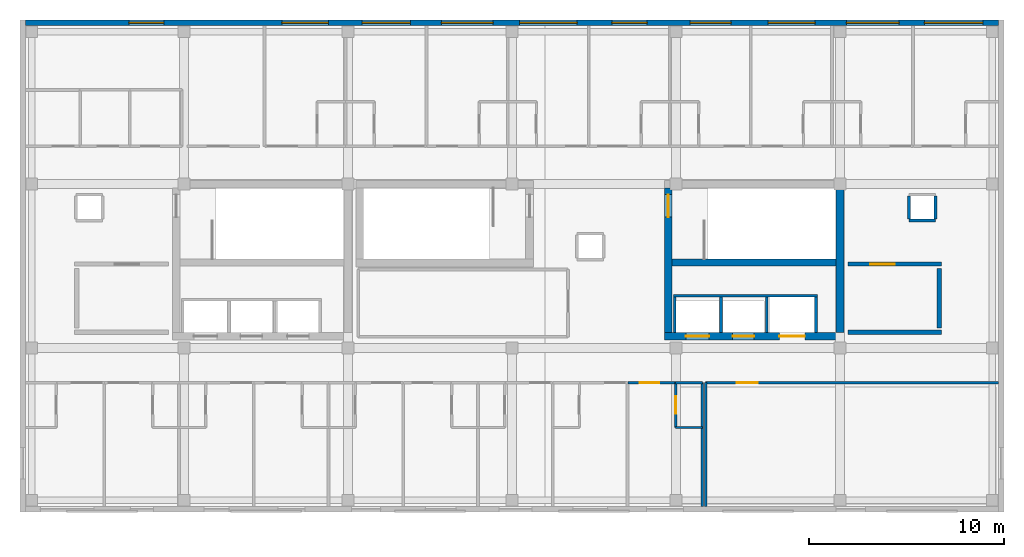
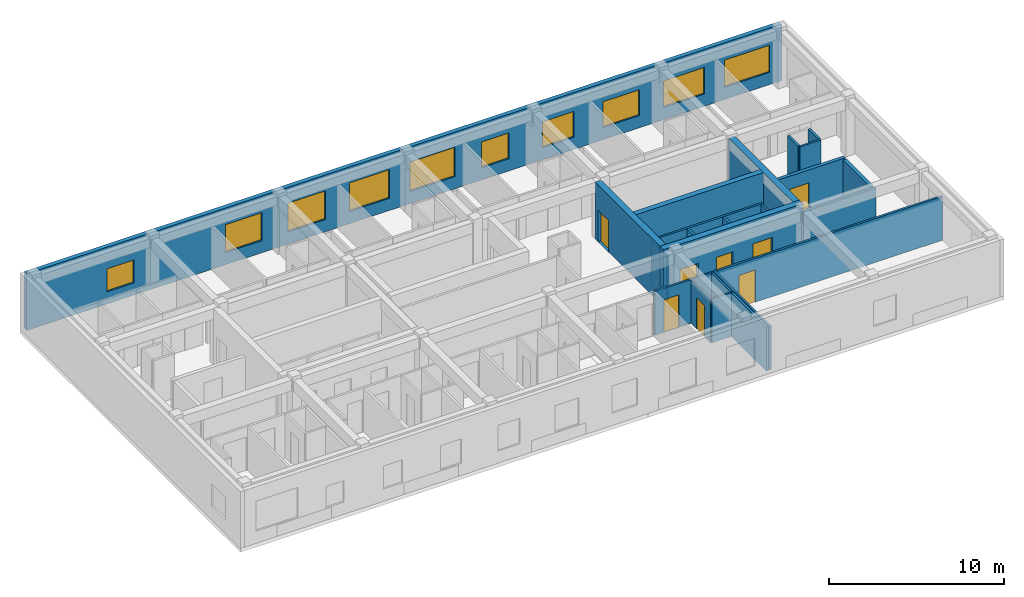
# One storey, part 5 of 7: 23 walls, 10 windows, 8 doors, 18 openings.
"""IFC4 building model written with IfcOpenShell, lengths in metres."""

import ifcopenshell
import ifcopenshell.guid

model = None  # the IFC model being written
_history = None  # IfcOwnerHistory: only IFC2X3 demands one
_inside = {}  # id of a spatial element -> (the spatial element, [elements in it])
_under = {}  # id of a project, library or spatial element -> (it, [spatial elements below it])
_declared = {}  # id of a project -> (the project, [libraries it declares])
_typed = {}  # id of a type object -> (the type object, [elements of that type])
_made_of = {}  # id of a material, layer set ... -> (it, [elements and type objects made of it])


def new_model(schema):
    """Start an empty IFC model of exactly this schema.

    Asked for "IFC4X3", IfcOpenShell would pick the latest addendum, in which some entities
    have other attributes; the version numbers below select the first issue.
    IFC2X3 requires an IfcOwnerHistory on every rooted entity: one is made here for all.
    """
    global model, _history
    if schema == "IFC4X3":
        model = ifcopenshell.file(schema_version=(4, 3, 0, 0))
    else:
        model = ifcopenshell.file(schema=schema)
    _inside.clear()
    _under.clear()
    _declared.clear()
    _typed.clear()
    _made_of.clear()
    _history = None
    if model.schema == "IFC2X3":
        org = make("IfcOrganization", Name="unknown")
        user = make(
            "IfcPersonAndOrganization",
            ThePerson=make("IfcPerson", FamilyName="unknown"),
            TheOrganization=org,
        )
        app = make(
            "IfcApplication",
            ApplicationDeveloper=org,
            Version="unknown",
            ApplicationFullName="unknown",
            ApplicationIdentifier="unknown",
        )
        _history = make(
            "IfcOwnerHistory",
            OwningUser=user,
            OwningApplication=app,
            ChangeAction="ADDED",
            CreationDate=0,
        )
    return model


def make(cls, **values):
    """One entity of the class cls with the attributes given. An attribute that is None is left unset."""
    return model.create_entity(
        cls, **{name: value for name, value in values.items() if value is not None}
    )


def rooted(cls, **values):
    """An entity with a GlobalId (a new one), such as an element, a storey or a relation."""
    return make(cls, GlobalId=ifcopenshell.guid.new(), OwnerHistory=_history, **values)


def si_unit(unit_type, name, prefix=None):
    """IfcSIUnit, for example si_unit("LENGTHUNIT", "METRE", prefix="MILLI")."""
    return make("IfcSIUnit", UnitType=unit_type, Prefix=prefix, Name=name)


def assignment(units):
    """IfcUnitAssignment: the units of a project."""
    return None if units is None else make("IfcUnitAssignment", Units=units)


def point(xyz):
    """IfcCartesianPoint."""
    return None if xyz is None else make("IfcCartesianPoint", Coordinates=xyz)


def direction(xyz):
    """IfcDirection."""
    return None if xyz is None else make("IfcDirection", DirectionRatios=xyz)


def frame(location, z_axis=None, x_axis=None):
    """IfcAxis2Placement3D, a coordinate frame: its origin and axes. An axis left out is left unset."""
    return make(
        "IfcAxis2Placement3D",
        Location=point(location),
        Axis=direction(z_axis),
        RefDirection=direction(x_axis),
    )


def frame_2d(location, x_axis=None):
    """IfcAxis2Placement2D, a coordinate frame in the plane: its origin and x axis."""
    return make(
        "IfcAxis2Placement2D", Location=point(location), RefDirection=direction(x_axis)
    )


def origin():
    """The frame at (0, 0, 0) with its axes left unset."""
    return frame((0.0, 0.0, 0.0))


def place(relative_to, where):
    """IfcLocalPlacement: puts the frame where relative to a parent placement (None: the world)."""
    return make(
        "IfcLocalPlacement", PlacementRelTo=relative_to, RelativePlacement=where
    )


def context(
    kind, dimensions, precision=None, world=None, true_north=None, identifier=None
):
    """IfcGeometricRepresentationContext, for example the 3D "Model" context."""
    return make(
        "IfcGeometricRepresentationContext",
        ContextIdentifier=identifier,
        ContextType=kind,
        CoordinateSpaceDimension=dimensions,
        Precision=precision,
        WorldCoordinateSystem=world,
        TrueNorth=true_north,
    )


def subcontext(parent, identifier, kind, view, scale=None):
    """IfcGeometricRepresentationSubContext, for example "Body" below "Model"."""
    return make(
        "IfcGeometricRepresentationSubContext",
        ContextIdentifier=identifier,
        ContextType=kind,
        ParentContext=parent,
        TargetScale=scale,
        TargetView=view,
    )


def project(units=None, contexts=None):
    """IfcProject with its units and contexts."""
    return rooted(
        "IfcProject",
        Name="project",
        RepresentationContexts=contexts,
        UnitsInContext=assignment(units),
    )


def spatial(cls, under=None, at=None, **own):
    """A site, building, storey or space (cls), placed at a placement, below another one or the project."""
    s = rooted(cls, ObjectPlacement=at, **own)
    if under is not None:
        _under.setdefault(under.id(), (under, []))[1].append(s)
    return s


def profile(cls, at=None, kind="AREA", **sizes):
    """A parametric profile (cls). Its sizes go by their IFC names, for example OverallWidth=200.0."""
    return make(cls, ProfileType=kind, Position=at, **sizes)


def rectangle(**sizes):
    """IfcRectangleProfileDef."""
    return profile("IfcRectangleProfileDef", **sizes)


def extrude(swept, where, along, depth):
    """IfcExtrudedAreaSolid: the profile swept, set in the frame where, extruded along a direction by depth."""
    return make(
        "IfcExtrudedAreaSolid",
        SweptArea=swept,
        Position=where,
        ExtrudedDirection=direction(along),
        Depth=depth,
    )


def shape(context_of_items, identifier, shape_type, items):
    """IfcShapeRepresentation: the items that make up one representation, for example the "Body"."""
    return make(
        "IfcShapeRepresentation",
        ContextOfItems=context_of_items,
        RepresentationIdentifier=identifier,
        RepresentationType=shape_type,
        Items=items,
    )


def material(Name=None, Category=None):
    """IfcMaterial."""
    return make("IfcMaterial", Name=Name, Category=Category)


def layer(
    of_material, thickness, ventilated=None, Name=None, Category=None, Priority=None
):
    """IfcMaterialLayer: one layer of a wall or slab, of a material (None: an air gap)."""
    return make(
        "IfcMaterialLayer",
        Material=of_material,
        LayerThickness=thickness,
        IsVentilated=ventilated,
        Name=Name,
        Category=Category,
        Priority=Priority,
    )


def layer_set(layers, Name=None):
    """IfcMaterialLayerSet."""
    return make("IfcMaterialLayerSet", MaterialLayers=layers, LayerSetName=Name)


def made_of(thing, what):
    """Note that an element or type object is made of a material, layer set ...; save() writes the relation."""
    if what is not None:
        _made_of.setdefault(what.id(), (what, []))[1].append(thing)
    return thing


def type_object(cls, material=None, **own):
    """A type object (cls), such as IfcWallType, which elements share."""
    return made_of(rooted(cls, **own), material)


def element(
    cls,
    number,
    at=None,
    inside=None,
    cuts=None,
    type_object=None,
    material=None,
    context=None,
    identifier="Body",
    shape_type=None,
    held_by="IfcProductDefinitionShape",
    body=None,
    shapes=None,
    **own,
):
    """One element of the class cls, such as IfcWall. Its Tag is "e" and its number.

    at: its placement. inside: the storey or other place that contains it. cuts: it is an
    opening in that element (IfcRelVoidsElement). A single representation is given by context,
    identifier, shape_type and body (its items); several are given by shapes. held_by: the class
    of the entity that holds the representations. save() writes the other relations.
    """
    e = rooted(cls, Tag="e%d" % number, ObjectPlacement=at, **own)
    if body is not None:
        shapes = [shape(context, identifier, shape_type, body)]
    if shapes is not None:
        e.Representation = make(held_by, Representations=shapes)
    if inside is not None:
        _inside.setdefault(inside.id(), (inside, []))[1].append(e)
    if cuts is not None:
        rooted(
            "IfcRelVoidsElement", RelatingBuildingElement=cuts, RelatedOpeningElement=e
        )
    if type_object is not None:
        _typed.setdefault(type_object.id(), (type_object, []))[1].append(e)
    return made_of(e, material)


def fill(opening, filler):
    """IfcRelFillsElement: the door or window that sits in an opening."""
    return rooted(
        "IfcRelFillsElement",
        RelatingOpeningElement=opening,
        RelatedBuildingElement=filler,
    )


def aggregate(whole, parts):
    """IfcRelAggregates: a whole, such as a stair, and the parts it consists of."""
    return rooted("IfcRelAggregates", RelatingObject=whole, RelatedObjects=parts)


def save(model, path):
    """Write the relations noted so far, then the file.

    IfcRelAggregates (storeys below a building ...), IfcRelContainedInSpatialStructure (elements
    in a storey), IfcRelDefinesByType, IfcRelAssociatesMaterial and IfcRelDeclares: one each for
    every whole, place, type object, material and project.
    """
    for whole, parts in _under.values():
        aggregate(whole, parts)
    for where, things in _inside.values():
        rooted(
            "IfcRelContainedInSpatialStructure",
            RelatedElements=things,
            RelatingStructure=where,
        )
    for kind, things in _typed.values():
        rooted("IfcRelDefinesByType", RelatedObjects=things, RelatingType=kind)
    for what, things in _made_of.values():
        rooted("IfcRelAssociatesMaterial", RelatedObjects=things, RelatingMaterial=what)
    for by, libraries in _declared.values():
        rooted("IfcRelDeclares", RelatingContext=by, RelatedDefinitions=libraries)
    model.write(path)


model = new_model("IFC4")

# Units and contexts
model_context = context("Model", 3, precision=1e-05, world=origin(), true_north=direction((0.0, 1.0)))
body_context = subcontext(model_context, "Body", "Model", "MODEL_VIEW")
ifc_project = project(units=[si_unit("LENGTHUNIT", "METRE"), si_unit("AREAUNIT", "SQUARE_METRE"), si_unit("VOLUMEUNIT", "CUBIC_METRE"), si_unit("PLANEANGLEUNIT", "RADIAN"), si_unit("MASSUNIT", "GRAM", prefix="KILO")], contexts=[model_context])

# Site, building, storey
site_placement = place(None, origin())
site = spatial("IfcSite", under=ifc_project, at=site_placement, CompositionType="ELEMENT")
building_placement = place(site_placement, origin())
building = spatial("IfcBuilding", under=site, at=building_placement, Name="Zayran Congress Hotel", CompositionType="ELEMENT")
storey_placement = place(building_placement, frame((0.0, 0.0, 44.39990234375)))
storey = spatial("IfcBuildingStorey", under=building, at=storey_placement, Name="L11", CompositionType="ELEMENT", Elevation=44.39990234375)

# Wall, openings, windows
ifc_material_1 = material(Name="Hajar Ma'ani limestone cavity wall and concrete C32/40", Category="masonry")
ifc_layer_1 = layer(ifc_material_1, 0.280029296875)
ifc_layer_set_1 = layer_set([ifc_layer_1], Name="Hajar Ma'ani limestone cavity wall and concrete C32/40")
wall_type_1 = type_object("IfcWallType", Name="WL-EX-280", PredefinedType="SOLIDWALL", material=ifc_layer_set_1)
wall_1_placement = place(storey_placement, frame((17.080078125, 33.860107421875, 0.0), z_axis=(0.0, 0.0, 1.0), x_axis=(1.0, 0.0, 0.0)))
wall_1 = element("IfcWall", 1, at=wall_1_placement, inside=storey, type_object=wall_type_1, Name="EW-V5-N-L11", PredefinedType="SOLIDWALL", context=body_context, shape_type="SweptSolid", body=[
    extrude(rectangle(XDim=49.83984375, YDim=0.280029296875, at=frame_2d((24.919921875, 0.0))), origin(), (0.0, 0.0, 1.0), 3.960205078125),
])
opening_1_placement = place(wall_1_placement, frame((5.294921875, 0.0, 0.85009765625)))
opening_1 = element("IfcOpeningElement", 2, at=opening_1_placement, cuts=wall_1, Name="Opening WN-16", PredefinedType="OPENING", context=body_context, shape_type="SweptSolid", body=[
    extrude(rectangle(XDim=1.800048828125, YDim=1.60009765625, at=frame_2d((0.89990234375, 0.800048828125))), frame((0.0, 0.14990234375, 0.0), z_axis=(0.0, -1.0, 0.0), x_axis=(1.0, 0.0, 0.0)), (0.0, 0.0, 1.0), 0.300048828125),
])
opening_2_placement = place(wall_1_placement, frame((13.135986328125, 0.0, 0.85009765625)))
opening_2 = element("IfcOpeningElement", 3, at=opening_2_placement, cuts=wall_1, Name="Opening WN-41", PredefinedType="OPENING", context=body_context, shape_type="SweptSolid", body=[
    extrude(rectangle(XDim=2.3798828125, YDim=1.949951171875, at=frame_2d((1.18994140625, 0.97509765625))), frame((0.0, 0.14990234375, 0.0), z_axis=(0.0, -1.0, 0.0), x_axis=(1.0, 0.0, 0.0)), (0.0, 0.0, 1.0), 0.300048828125),
])
opening_3_placement = place(wall_1_placement, frame((17.238037109375, 0.0, 0.85009765625)))
opening_3 = element("IfcOpeningElement", 4, at=opening_3_placement, cuts=wall_1, Name="Opening WN-42", PredefinedType="OPENING", context=body_context, shape_type="SweptSolid", body=[
    extrude(rectangle(XDim=2.47998046875, YDim=2.0, at=frame_2d((1.239990234375, 1.0))), frame((0.0, 0.14990234375, 0.0), z_axis=(0.0, -1.0, 0.0), x_axis=(1.0, 0.0, 0.0)), (0.0, 0.0, 1.0), 0.300048828125),
])
opening_4_placement = place(wall_1_placement, frame((21.304931640625, 0.0, 0.85009765625)))
opening_4 = element("IfcOpeningElement", 5, at=opening_4_placement, cuts=wall_1, Name="Opening WN-43", PredefinedType="OPENING", context=body_context, shape_type="SweptSolid", body=[
    extrude(rectangle(XDim=2.64990234375, YDim=2.0, at=frame_2d((1.324951171875, 1.0))), frame((0.0, 0.14990234375, 0.0), z_axis=(0.0, -1.0, 0.0), x_axis=(1.0, 0.0, 0.0)), (0.0, 0.0, 1.0), 0.300048828125),
])
opening_5_placement = place(wall_1_placement, frame((25.30810546875, 0.0, 0.85009765625)))
opening_5 = element("IfcOpeningElement", 6, at=opening_5_placement, cuts=wall_1, Name="Opening WN-44", PredefinedType="OPENING", context=body_context, shape_type="SweptSolid", body=[
    extrude(rectangle(XDim=2.949951171875, YDim=2.050048828125, at=frame_2d((1.47509765625, 1.02490234375))), frame((0.0, 0.14990234375, 0.0), z_axis=(0.0, -1.0, 0.0), x_axis=(1.0, 0.0, 0.0)), (0.0, 0.0, 1.0), 0.300048828125),
])
opening_6_placement = place(wall_1_placement, frame((30.034912109375, 0.0, 0.85009765625)))
opening_6 = element("IfcOpeningElement", 7, at=opening_6_placement, cuts=wall_1, Name="Opening WN-01", PredefinedType="OPENING", context=body_context, shape_type="SweptSolid", body=[
    extrude(rectangle(XDim=1.800048828125, YDim=1.800048828125, at=frame_2d((0.89990234375, 0.89990234375))), frame((0.0, 0.14990234375, 0.0), z_axis=(0.0, -1.0, 0.0), x_axis=(1.0, 0.0, 0.0)), (0.0, 0.0, 1.0), 0.300048828125),
])
opening_7_placement = place(wall_1_placement, frame((34.037109375, 0.0, 0.85009765625)))
opening_7 = element("IfcOpeningElement", 8, at=opening_7_placement, cuts=wall_1, Name="Opening WN-02", PredefinedType="OPENING", context=body_context, shape_type="SweptSolid", body=[
    extrude(rectangle(XDim=2.10009765625, YDim=1.800048828125, at=frame_2d((1.050048828125, 0.89990234375))), frame((0.0, 0.14990234375, 0.0), z_axis=(0.0, -1.0, 0.0), x_axis=(1.0, 0.0, 0.0)), (0.0, 0.0, 1.0), 0.300048828125),
])
opening_8_placement = place(wall_1_placement, frame((38.0400390625, 0.0, 0.85009765625)))
opening_8 = element("IfcOpeningElement", 9, at=opening_8_placement, cuts=wall_1, Name="Opening WN-03", PredefinedType="OPENING", context=body_context, shape_type="SweptSolid", body=[
    extrude(rectangle(XDim=2.39990234375, YDim=1.800048828125, at=frame_2d((1.199951171875, 0.89990234375))), frame((0.0, 0.14990234375, 0.0), z_axis=(0.0, -1.0, 0.0), x_axis=(1.0, 0.0, 0.0)), (0.0, 0.0, 1.0), 0.300048828125),
])
opening_9_placement = place(wall_1_placement, frame((42.0419921875, 0.0, 0.85009765625)))
opening_9 = element("IfcOpeningElement", 10, at=opening_9_placement, cuts=wall_1, Name="Opening WN-04", PredefinedType="OPENING", context=body_context, shape_type="SweptSolid", body=[
    extrude(rectangle(XDim=2.699951171875, YDim=1.85009765625, at=frame_2d((1.35009765625, 0.925048828125))), frame((0.0, 0.14990234375, 0.0), z_axis=(0.0, -1.0, 0.0), x_axis=(1.0, 0.0, 0.0)), (0.0, 0.0, 1.0), 0.300048828125),
])
opening_10_placement = place(wall_1_placement, frame((46.0439453125, 0.0, 0.85009765625)))
opening_10 = element("IfcOpeningElement", 11, at=opening_10_placement, cuts=wall_1, Name="Opening WN-05", PredefinedType="OPENING", context=body_context, shape_type="SweptSolid", body=[
    extrude(rectangle(XDim=3.0, YDim=1.89990234375, at=frame_2d((1.5, 0.949951171875))), frame((0.0, 0.14990234375, 0.0), z_axis=(0.0, -1.0, 0.0), x_axis=(1.0, 0.0, 0.0)), (0.0, 0.0, 1.0), 0.300048828125),
])
ifc_material_2 = material(Name="Anodised aluminium and low-E insulated glass", Category="aluminium")
window_type_1 = type_object("IfcWindowType", Name="TP-WN-01", PartitioningType="SINGLE_PANEL", PredefinedType="WINDOW", material=ifc_material_2)
window_1_placement = place(opening_6_placement, origin())
window_1 = element("IfcWindow", 12, at=window_1_placement, inside=storey, type_object=window_type_1, Name="WIN-V5N-L11-0480", OverallHeight=1.800048828125, OverallWidth=1.800048828125, PartitioningType="SINGLE_PANEL", PredefinedType="WINDOW", context=body_context, shape_type="SweptSolid", body=[
    extrude(rectangle(XDim=1.800048828125, YDim=1.800048828125, at=frame_2d((0.89990234375, 0.89990234375))), frame((0.0, 0.030029296875, 0.0), z_axis=(0.0, -1.0, 0.0), x_axis=(1.0, 0.0, 0.0)), (0.0, 0.0, 1.0), 0.06005859375),
])
fill(opening_6, window_1)
window_type_2 = type_object("IfcWindowType", Name="TP-WN-02", PartitioningType="DOUBLE_PANEL_VERTICAL", PredefinedType="WINDOW", material=ifc_material_2)
window_2_placement = place(opening_7_placement, origin())
window_2 = element("IfcWindow", 13, at=window_2_placement, inside=storey, type_object=window_type_2, Name="WIN-V5N-L11-0481", OverallHeight=1.800048828125, OverallWidth=2.10009765625, PartitioningType="SINGLE_PANEL", PredefinedType="WINDOW", context=body_context, shape_type="SweptSolid", body=[
    extrude(rectangle(XDim=2.10009765625, YDim=1.800048828125, at=frame_2d((1.050048828125, 0.89990234375))), frame((0.0, 0.030029296875, 0.0), z_axis=(0.0, -1.0, 0.0), x_axis=(1.0, 0.0, 0.0)), (0.0, 0.0, 1.0), 0.06005859375),
])
fill(opening_7, window_2)
window_type_3 = type_object("IfcWindowType", Name="TP-WN-03", PartitioningType="DOUBLE_PANEL_VERTICAL", PredefinedType="WINDOW", material=ifc_material_2)
window_3_placement = place(opening_8_placement, origin())
window_3 = element("IfcWindow", 14, at=window_3_placement, inside=storey, type_object=window_type_3, Name="WIN-V5N-L11-0482", OverallHeight=1.800048828125, OverallWidth=2.39990234375, PartitioningType="SINGLE_PANEL", PredefinedType="WINDOW", context=body_context, shape_type="SweptSolid", body=[
    extrude(rectangle(XDim=2.39990234375, YDim=1.800048828125, at=frame_2d((1.199951171875, 0.89990234375))), frame((0.0, 0.030029296875, 0.0), z_axis=(0.0, -1.0, 0.0), x_axis=(1.0, 0.0, 0.0)), (0.0, 0.0, 1.0), 0.06005859375),
])
fill(opening_8, window_3)
window_type_4 = type_object("IfcWindowType", Name="TP-WN-04", PartitioningType="TRIPLE_PANEL_VERTICAL", PredefinedType="WINDOW", material=ifc_material_2)
window_4_placement = place(opening_9_placement, origin())
window_4 = element("IfcWindow", 15, at=window_4_placement, inside=storey, type_object=window_type_4, Name="WIN-V5N-L11-0483", OverallHeight=1.85009765625, OverallWidth=2.699951171875, PartitioningType="SINGLE_PANEL", PredefinedType="WINDOW", context=body_context, shape_type="SweptSolid", body=[
    extrude(rectangle(XDim=2.699951171875, YDim=1.85009765625, at=frame_2d((1.35009765625, 0.925048828125))), frame((0.0, 0.030029296875, 0.0), z_axis=(0.0, -1.0, 0.0), x_axis=(1.0, 0.0, 0.0)), (0.0, 0.0, 1.0), 0.06005859375),
])
fill(opening_9, window_4)
window_type_5 = type_object("IfcWindowType", Name="TP-WN-05", PartitioningType="TRIPLE_PANEL_VERTICAL", PredefinedType="WINDOW", material=ifc_material_2)
window_5_placement = place(opening_10_placement, origin())
window_5 = element("IfcWindow", 16, at=window_5_placement, inside=storey, type_object=window_type_5, Name="WIN-V5N-L11-0484", OverallHeight=1.89990234375, OverallWidth=3.0, PartitioningType="SINGLE_PANEL", PredefinedType="WINDOW", context=body_context, shape_type="SweptSolid", body=[
    extrude(rectangle(XDim=3.0, YDim=1.89990234375, at=frame_2d((1.5, 0.949951171875))), frame((0.0, 0.030029296875, 0.0), z_axis=(0.0, -1.0, 0.0), x_axis=(1.0, 0.0, 0.0)), (0.0, 0.0, 1.0), 0.06005859375),
])
fill(opening_10, window_5)
window_type_6 = type_object("IfcWindowType", Name="TP-WN-16", PartitioningType="DOUBLE_PANEL_VERTICAL", PredefinedType="WINDOW", material=ifc_material_2)
window_6_placement = place(opening_1_placement, origin())
window_6 = element("IfcWindow", 17, at=window_6_placement, inside=storey, type_object=window_type_6, Name="WIN-V5N-L11-0475", OverallHeight=1.60009765625, OverallWidth=1.800048828125, PartitioningType="SINGLE_PANEL", PredefinedType="WINDOW", context=body_context, shape_type="SweptSolid", body=[
    extrude(rectangle(XDim=1.800048828125, YDim=1.60009765625, at=frame_2d((0.89990234375, 0.800048828125))), frame((0.0, 0.030029296875, 0.0), z_axis=(0.0, -1.0, 0.0), x_axis=(1.0, 0.0, 0.0)), (0.0, 0.0, 1.0), 0.06005859375),
])
fill(opening_1, window_6)
window_type_7 = type_object("IfcWindowType", Name="TP-WN-41", PartitioningType="DOUBLE_PANEL_VERTICAL", PredefinedType="WINDOW", material=ifc_material_2)
window_7_placement = place(opening_2_placement, origin())
window_7 = element("IfcWindow", 18, at=window_7_placement, inside=storey, type_object=window_type_7, Name="WIN-V5N-L11-0476", OverallHeight=1.949951171875, OverallWidth=2.3798828125, PartitioningType="SINGLE_PANEL", PredefinedType="WINDOW", context=body_context, shape_type="SweptSolid", body=[
    extrude(rectangle(XDim=2.3798828125, YDim=1.949951171875, at=frame_2d((1.18994140625, 0.97509765625))), frame((0.0, 0.030029296875, 0.0), z_axis=(0.0, -1.0, 0.0), x_axis=(1.0, 0.0, 0.0)), (0.0, 0.0, 1.0), 0.06005859375),
])
fill(opening_2, window_7)
window_type_8 = type_object("IfcWindowType", Name="TP-WN-42", PartitioningType="DOUBLE_PANEL_VERTICAL", PredefinedType="WINDOW", material=ifc_material_2)
window_8_placement = place(opening_3_placement, origin())
window_8 = element("IfcWindow", 19, at=window_8_placement, inside=storey, type_object=window_type_8, Name="WIN-V5N-L11-0477", OverallHeight=2.0, OverallWidth=2.47998046875, PartitioningType="SINGLE_PANEL", PredefinedType="WINDOW", context=body_context, shape_type="SweptSolid", body=[
    extrude(rectangle(XDim=2.47998046875, YDim=2.0, at=frame_2d((1.239990234375, 1.0))), frame((0.0, 0.030029296875, 0.0), z_axis=(0.0, -1.0, 0.0), x_axis=(1.0, 0.0, 0.0)), (0.0, 0.0, 1.0), 0.06005859375),
])
fill(opening_3, window_8)
window_type_9 = type_object("IfcWindowType", Name="TP-WN-43", PartitioningType="TRIPLE_PANEL_VERTICAL", PredefinedType="WINDOW", material=ifc_material_2)
window_9_placement = place(opening_4_placement, origin())
window_9 = element("IfcWindow", 20, at=window_9_placement, inside=storey, type_object=window_type_9, Name="WIN-V5N-L11-0478", OverallHeight=2.0, OverallWidth=2.64990234375, PartitioningType="SINGLE_PANEL", PredefinedType="WINDOW", context=body_context, shape_type="SweptSolid", body=[
    extrude(rectangle(XDim=2.64990234375, YDim=2.0, at=frame_2d((1.324951171875, 1.0))), frame((0.0, 0.030029296875, 0.0), z_axis=(0.0, -1.0, 0.0), x_axis=(1.0, 0.0, 0.0)), (0.0, 0.0, 1.0), 0.06005859375),
])
fill(opening_4, window_9)
window_type_10 = type_object("IfcWindowType", Name="TP-WN-44", PartitioningType="TRIPLE_PANEL_VERTICAL", PredefinedType="WINDOW", material=ifc_material_2)
window_10_placement = place(opening_5_placement, origin())
window_10 = element("IfcWindow", 21, at=window_10_placement, inside=storey, type_object=window_type_10, Name="WIN-V5N-L11-0479", OverallHeight=2.050048828125, OverallWidth=2.949951171875, PartitioningType="SINGLE_PANEL", PredefinedType="WINDOW", context=body_context, shape_type="SweptSolid", body=[
    extrude(rectangle(XDim=2.949951171875, YDim=2.050048828125, at=frame_2d((1.47509765625, 1.02490234375))), frame((0.0, 0.030029296875, 0.0), z_axis=(0.0, -1.0, 0.0), x_axis=(1.0, 0.0, 0.0)), (0.0, 0.0, 1.0), 0.06005859375),
])
fill(opening_5, window_10)

# Wall, openings, doors
ifc_material_3 = material(Name="Concrete C40/50", Category="concrete")
ifc_layer_2 = layer(ifc_material_3, 0.39990234375)
ifc_layer_set_2 = layer_set([ifc_layer_2], Name="Concrete C40/50")
wall_type_2 = type_object("IfcWallType", Name="WL-SH-400", PredefinedType="SHEAR", material=ifc_layer_set_2)
wall_2_placement = place(storey_placement, frame((49.800048828125, 17.800048828125, 0.0), z_axis=(0.0, 0.0, 1.0), x_axis=(1.0, 0.0, 0.0)))
wall_2 = element("IfcWall", 22, at=wall_2_placement, inside=storey, type_object=wall_type_2, Name="CWALL-C-V5E-L11-S", PredefinedType="SHEAR", context=body_context, shape_type="SweptSolid", body=[
    extrude(rectangle(XDim=9.199951171875, YDim=0.39990234375, at=frame_2d((4.60009765625, 0.0))), origin(), (0.0, 0.0, 1.0), 3.960205078125),
])
opening_11_placement = place(wall_2_placement, frame((1.10009765625, 0.0, 0.0)))
opening_11 = element("IfcOpeningElement", 23, at=opening_11_placement, cuts=wall_2, Name="Opening LD-FL02", PredefinedType="OPENING", context=body_context, shape_type="SweptSolid", body=[
    extrude(rectangle(XDim=1.199951171875, YDim=2.199951171875, at=frame_2d((0.60009765625, 1.10009765625))), frame((0.0, 0.2099609375, 0.0), z_axis=(0.0, -1.0, 0.0), x_axis=(1.0, 0.0, 0.0)), (0.0, 0.0, 1.0), 0.419921875),
])
opening_12_placement = place(wall_2_placement, frame((3.5, 0.0, 0.0)))
opening_12 = element("IfcOpeningElement", 24, at=opening_12_placement, cuts=wall_2, Name="Opening LD-PL03", PredefinedType="OPENING", context=body_context, shape_type="SweptSolid", body=[
    extrude(rectangle(XDim=1.10009765625, YDim=2.199951171875, at=frame_2d((0.550048828125, 1.10009765625))), frame((0.0, 0.2099609375, 0.0), z_axis=(0.0, -1.0, 0.0), x_axis=(1.0, 0.0, 0.0)), (0.0, 0.0, 1.0), 0.419921875),
])
opening_13_placement = place(wall_2_placement, frame((5.89990234375, 0.0, 0.0)))
opening_13 = element("IfcOpeningElement", 25, at=opening_13_placement, cuts=wall_2, Name="Opening LD-SV01", PredefinedType="OPENING", context=body_context, shape_type="SweptSolid", body=[
    extrude(rectangle(XDim=1.300048828125, YDim=2.300048828125, at=frame_2d((0.64990234375, 1.14990234375))), frame((0.0, 0.2099609375, 0.0), z_axis=(0.0, -1.0, 0.0), x_axis=(1.0, 0.0, 0.0)), (0.0, 0.0, 1.0), 0.419921875),
])
ifc_material_4 = material(Name="Brushed stainless steel sliding lift landing door", Category="steel")
door_type_1 = type_object("IfcDoorType", Name="TP-DR-LD-01", OperationType="DOUBLE_DOOR_SLIDING", PredefinedType="DOOR", material=ifc_material_4)
door_1_placement = place(opening_12_placement, origin())
door_1 = element("IfcDoor", 26, at=door_1_placement, inside=storey, type_object=door_type_1, Name="Lift PL-03 Sliding Landing Door L11", OperationType="DOUBLE_DOOR_SLIDING", OverallHeight=2.199951171875, OverallWidth=1.10009765625, PredefinedType="DOOR", context=body_context, shape_type="SweptSolid", body=[
    extrude(rectangle(XDim=1.10009765625, YDim=2.199951171875, at=frame_2d((0.550048828125, 1.10009765625))), frame((0.0, 0.02490234375, 0.0), z_axis=(0.0, -1.0, 0.0), x_axis=(1.0, 0.0, 0.0)), (0.0, 0.0, 1.0), 0.050048828125),
])
fill(opening_12, door_1)
ifc_material_5 = material(Name="Brushed stainless steel firefighting lift landing door", Category="steel")
door_type_2 = type_object("IfcDoorType", Name="TP-DR-LD-02", OperationType="DOUBLE_DOOR_SLIDING", PredefinedType="DOOR", material=ifc_material_5)
door_2_placement = place(opening_11_placement, origin())
door_2 = element("IfcDoor", 27, at=door_2_placement, inside=storey, type_object=door_type_2, Name="Lift FL-02 Sliding Landing Door L11", OperationType="DOUBLE_DOOR_SLIDING", OverallHeight=2.199951171875, OverallWidth=1.199951171875, PredefinedType="DOOR", context=body_context, shape_type="SweptSolid", body=[
    extrude(rectangle(XDim=1.199951171875, YDim=2.199951171875, at=frame_2d((0.60009765625, 1.10009765625))), frame((0.0, 0.02490234375, 0.0), z_axis=(0.0, -1.0, 0.0), x_axis=(1.0, 0.0, 0.0)), (0.0, 0.0, 1.0), 0.050048828125),
])
fill(opening_11, door_2)
ifc_material_6 = material(Name="Heavy-duty stainless steel service lift landing door", Category="steel")
door_type_3 = type_object("IfcDoorType", Name="TP-DR-LD-03", OperationType="DOUBLE_DOOR_SLIDING", PredefinedType="DOOR", material=ifc_material_6)
door_3_placement = place(opening_13_placement, origin())
door_3 = element("IfcDoor", 28, at=door_3_placement, inside=storey, type_object=door_type_3, Name="Lift SV-01 Sliding Landing Door L11", OperationType="DOUBLE_DOOR_SLIDING", OverallHeight=2.300048828125, OverallWidth=1.300048828125, PredefinedType="DOOR", context=body_context, shape_type="SweptSolid", body=[
    extrude(rectangle(XDim=1.300048828125, YDim=2.300048828125, at=frame_2d((0.64990234375, 1.14990234375))), frame((0.0, 0.02490234375, 0.0), z_axis=(0.0, -1.0, 0.0), x_axis=(1.0, 0.0, 0.0)), (0.0, 0.0, 1.0), 0.050048828125),
])
fill(opening_13, door_3)

# Wall, opening, door
wall_3_placement = place(storey_placement, frame((50.0, 25.39990234375, 0.0), z_axis=(0.0, 0.0, 1.0), x_axis=(0.0, -1.0, 0.0)))
wall_3 = element("IfcWall", 29, at=wall_3_placement, inside=storey, type_object=wall_type_2, Name="CWALL-C-V5E-L11-W", PredefinedType="SHEAR", context=body_context, shape_type="SweptSolid", body=[
    extrude(rectangle(XDim=7.39990234375, YDim=0.39990234375, at=frame_2d((3.699951171875, 0.0))), origin(), (0.0, 0.0, 1.0), 3.960205078125),
])
opening_14_placement = place(wall_3_placement, frame((0.35009765625, 0.0, 0.0)))
opening_14 = element("IfcOpeningElement", 30, at=opening_14_placement, cuts=wall_3, Name="Opening DR-FD-90", PredefinedType="OPENING", context=body_context, shape_type="SweptSolid", body=[
    extrude(rectangle(XDim=1.14990234375, YDim=2.199951171875, at=frame_2d((0.574951171875, 1.10009765625))), frame((0.0, 0.2099609375, 0.0), z_axis=(0.0, -1.0, 0.0), x_axis=(1.0, 0.0, 0.0)), (0.0, 0.0, 1.0), 0.419921875),
])
ifc_material_7 = material(Name="Painted steel fire door assembly", Category="steel")
door_type_4 = type_object("IfcDoorType", Name="TP-DR-FD-90", OperationType="NOTDEFINED", PredefinedType="DOOR", material=ifc_material_7)
door_4_placement = place(opening_14_placement, origin())
door_4 = element("IfcDoor", 31, at=door_4_placement, inside=storey, type_object=door_type_4, Name="ST-02 Exit Stair Door L11", OperationType="SINGLE_SWING_LEFT", OverallHeight=2.199951171875, OverallWidth=1.14990234375, PredefinedType="DOOR", context=body_context, shape_type="SweptSolid", body=[
    extrude(rectangle(XDim=1.14990234375, YDim=2.199951171875, at=frame_2d((0.574951171875, 1.10009765625))), frame((0.0, 0.02490234375, 0.0), z_axis=(0.0, -1.0, 0.0), x_axis=(1.0, 0.0, 0.0)), (0.0, 0.0, 1.0), 0.050048828125),
])
fill(opening_14, door_4)

# Walls
wall_4_placement = place(storey_placement, frame((58.800048828125, 18.0, 0.0), z_axis=(0.0, 0.0, 1.0), x_axis=(0.0, 1.0, 0.0)))
element("IfcWall", 32, at=wall_4_placement, inside=storey, type_object=wall_type_2, Name="CWALL-C-V5E-L11-E", PredefinedType="SHEAR", context=body_context, shape_type="SweptSolid", body=[
    extrude(rectangle(XDim=7.39990234375, YDim=0.39990234375, at=frame_2d((3.699951171875, 0.0))), origin(), (0.0, 0.0, 1.0), 3.960205078125),
])
ifc_layer_3 = layer(ifc_material_3, 0.35009765625)
ifc_layer_set_3 = layer_set([ifc_layer_3], Name="Concrete C40/50")
wall_type_3 = type_object("IfcWallType", Name="WL-SH-350", PredefinedType="SHEAR", material=ifc_layer_set_3)
wall_5_placement = place(storey_placement, frame((50.199951171875, 21.5849609375, 0.0), z_axis=(0.0, 0.0, 1.0), x_axis=(1.0, 0.0, 0.0)))
element("IfcWall", 33, at=wall_5_placement, inside=storey, type_object=wall_type_3, Name="CWALL-C-V5E-L11-SPN", PredefinedType="SHEAR", context=body_context, shape_type="SweptSolid", body=[
    extrude(rectangle(XDim=8.400146484375, YDim=0.35009765625, at=frame_2d((4.2001953125, 0.0))), origin(), (0.0, 0.0, 1.0), 3.960205078125),
])
ifc_material_8 = material(Name="Concrete C32/40 fire wall", Category="concrete")
ifc_layer_4 = layer(ifc_material_8, 0.219970703125)
ifc_layer_set_4 = layer_set([ifc_layer_4], Name="Concrete C32/40 fire wall")
wall_type_4 = type_object("IfcWallType", Name="WL-FF-220", PredefinedType="SOLIDWALL", material=ifc_layer_set_4)
wall_6_placement = place(storey_placement, frame((59.199951171875, 18.0, 0.0), z_axis=(0.0, 0.0, 1.0), x_axis=(1.0, 0.0, 0.0)))
element("IfcWall", 34, at=wall_6_placement, inside=storey, type_object=wall_type_4, Name="FFWL-C-V5E-L11-S", PredefinedType="SOLIDWALL", context=body_context, shape_type="SweptSolid", body=[
    extrude(rectangle(XDim=4.800048828125, YDim=0.219970703125, at=frame_2d((2.39990234375, 0.0))), origin(), (0.0, 0.0, 1.0), 3.110107421875),
])

# Wall, opening, door
wall_7_placement = place(storey_placement, frame((59.199951171875, 21.5, 0.0), z_axis=(0.0, 0.0, 1.0), x_axis=(1.0, 0.0, 0.0)))
wall_7 = element("IfcWall", 35, at=wall_7_placement, inside=storey, type_object=wall_type_4, Name="FFWL-C-V5E-L11-N", PredefinedType="SOLIDWALL", context=body_context, shape_type="SweptSolid", body=[
    extrude(rectangle(XDim=4.800048828125, YDim=0.219970703125, at=frame_2d((2.39990234375, 0.0))), origin(), (0.0, 0.0, 1.0), 3.110107421875),
])
opening_15_placement = place(wall_7_placement, frame((1.14990234375, 0.0, 0.0)))
opening_15 = element("IfcOpeningElement", 36, at=opening_15_placement, cuts=wall_7, Name="Opening DR-FF-60", PredefinedType="OPENING", context=body_context, shape_type="SweptSolid", body=[
    extrude(rectangle(XDim=1.25, YDim=2.199951171875, at=frame_2d((0.625, 1.10009765625))), frame((0.0, 0.119873046875, 0.0), z_axis=(0.0, -1.0, 0.0), x_axis=(1.0, 0.0, 0.0)), (0.0, 0.0, 1.0), 0.239990234375),
])
ifc_material_9 = material(Name="Painted steel smoke-seal fire door", Category="steel")
door_type_5 = type_object("IfcDoorType", Name="TP-DR-FF-60", OperationType="NOTDEFINED", PredefinedType="DOOR", material=ifc_material_9)
door_5_placement = place(opening_15_placement, origin())
door_5 = element("IfcDoor", 37, at=door_5_placement, inside=storey, type_object=door_type_5, Name="Firefighting Lift Lobby Door C-V5E L11", OperationType="SINGLE_SWING_RIGHT", OverallHeight=2.199951171875, OverallWidth=1.25, PredefinedType="DOOR", context=body_context, shape_type="SweptSolid", body=[
    extrude(rectangle(XDim=1.25, YDim=2.199951171875, at=frame_2d((0.625, 1.10009765625))), frame((0.0, 0.02490234375, 0.0), z_axis=(0.0, -1.0, 0.0), x_axis=(1.0, 0.0, 0.0)), (0.0, 0.0, 1.0), 0.050048828125),
])
fill(opening_15, door_5)

# Walls
wall_8_placement = place(storey_placement, frame((63.889892578125, 18.219970703125, 0.0), z_axis=(0.0, 0.0, 1.0), x_axis=(0.0, 1.0, 0.0)))
element("IfcWall", 38, at=wall_8_placement, inside=storey, type_object=wall_type_4, Name="FFWL-C-V5E-L11-SD", PredefinedType="SOLIDWALL", context=body_context, shape_type="SweptSolid", body=[
    extrude(rectangle(XDim=3.06005859375, YDim=0.219970703125, at=frame_2d((1.530029296875, 0.0))), origin(), (0.0, 0.0, 1.0), 3.110107421875),
])
ifc_material_10 = material(Name="Hospitality guestroom acoustic partition", Category="gypsum")
ifc_layer_5 = layer(ifc_material_10, 0.139892578125)
ifc_layer_set_5 = layer_set([ifc_layer_5], Name="Hospitality guestroom acoustic partition")
wall_type_5 = type_object("IfcWallType", Name="WL-PT-140", PredefinedType="PARTITIONING", material=ifc_layer_set_5)
for number, where, z_axis, x_axis, name in (
    (39, (50.330078125, 18.0, 0.0), (0.0, 0.0, 1.0), (0.0, 1.0, 0.0), "LSHW-C-V5E-L11-W"),
    (40, (52.699951171875, 18.0, 0.0), (0.0, 0.0, 1.0), (0.0, 1.0, 0.0), "LSHW-C-V5E-L11-DIV1"),
    (41, (55.050048828125, 18.0, 0.0), (0.0, 0.0, 1.0), (0.0, 1.0, 0.0), "LSHW-C-V5E-L11-DIV2"),
    (42, (57.570068359375, 18.0, 0.0), (0.0, 0.0, 1.0), (0.0, 1.0, 0.0), "LSHW-C-V5E-L11-E"),
):
    element("IfcWall", number, at=place(storey_placement, frame(where, z_axis=z_axis, x_axis=x_axis)), inside=storey, type_object=wall_type_5, Name=name, PredefinedType="PARTITIONING", context=body_context, shape_type="SweptSolid", body=[
        extrude(rectangle(XDim=1.800048828125, YDim=0.139892578125, at=frame_2d((0.89990234375, 0.0))), origin(), (0.0, 0.0, 1.0), 3.110107421875),
    ])
wall_9_placement = place(storey_placement, frame((50.260009765625, 19.8701171875, 0.0), z_axis=(0.0, 0.0, 1.0), x_axis=(1.0, 0.0, 0.0)))
element("IfcWall", 43, at=wall_9_placement, inside=storey, type_object=wall_type_5, Name="LSHW-C-V5E-L11-N", PredefinedType="PARTITIONING", context=body_context, shape_type="SweptSolid", body=[
    extrude(rectangle(XDim=7.3798828125, YDim=0.139892578125, at=frame_2d((3.68994140625, 0.0))), origin(), (0.0, 0.0, 1.0), 3.110107421875),
])

# Wall, opening, door
wall_10_placement = place(storey_placement, frame((51.919921875, 15.419921875, 0.0), z_axis=(0.0, 0.0, 1.0), x_axis=(1.0, 0.0, 0.0)))
wall_10 = element("IfcWall", 44, at=wall_10_placement, inside=storey, type_object=wall_type_5, Name="IW-L11-0838", PredefinedType="PARTITIONING", context=body_context, shape_type="SweptSolid", body=[
    extrude(rectangle(XDim=15.0, YDim=0.139892578125, at=frame_2d((7.5, 0.0))), origin(), (0.0, 0.0, 1.0), 3.06005859375),
])
opening_16_placement = place(wall_10_placement, frame((1.580078125, 0.0, 0.0)))
opening_16 = element("IfcOpeningElement", 45, at=opening_16_placement, cuts=wall_10, Name="Opening DR-MT-01", PredefinedType="OPENING", context=body_context, shape_type="SweptSolid", body=[
    extrude(rectangle(XDim=1.080078125, YDim=2.25, at=frame_2d((0.5400390625, 1.125))), frame((0.0, 0.079833984375, 0.0), z_axis=(0.0, -1.0, 0.0), x_axis=(1.0, 0.0, 0.0)), (0.0, 0.0, 1.0), 0.159912109375),
])
ifc_material_11 = material(Name="Acoustic timber seminar room door", Category="wood")
door_type_6 = type_object("IfcDoorType", Name="TP-DR-MT-01", OperationType="NOTDEFINED", PredefinedType="DOOR", material=ifc_material_11)
door_6_placement = place(opening_16_placement, origin())
door_6 = element("IfcDoor", 46, at=door_6_placement, inside=storey, type_object=door_type_6, Name="Crown Sky Lounge and Rooftop Restaurant Door", OperationType="SINGLE_SWING_RIGHT", OverallHeight=2.25, OverallWidth=1.080078125, PredefinedType="DOOR", context=body_context, shape_type="SweptSolid", body=[
    extrude(rectangle(XDim=1.080078125, YDim=2.25, at=frame_2d((0.5400390625, 1.125))), frame((0.0, 0.02490234375, 0.0), z_axis=(0.0, -1.0, 0.0), x_axis=(1.0, 0.0, 0.0)), (0.0, 0.0, 1.0), 0.050048828125),
])
fill(opening_16, door_6)

wall_11_placement = place(storey_placement, frame((47.931884765625, 15.419921875, 0.0), z_axis=(0.0, 0.0, 1.0), x_axis=(1.0, 0.0, 0.0)))
wall_11 = element("IfcWall", 47, at=wall_11_placement, inside=storey, type_object=wall_type_5, Name="IW-L11-0847", PredefinedType="PARTITIONING", context=body_context, shape_type="SweptSolid", body=[
    extrude(rectangle(XDim=2.4580078125, YDim=0.139892578125, at=frame_2d((1.22900390625, 0.0))), origin(), (0.0, 0.0, 1.0), 3.06005859375),
])
opening_17_placement = place(wall_11_placement, frame((0.60302734375, 0.0, 0.0)))
opening_17 = element("IfcOpeningElement", 48, at=opening_17_placement, cuts=wall_11, Name="Opening DR-GR-04", PredefinedType="OPENING", context=body_context, shape_type="SweptSolid", body=[
    extrude(rectangle(XDim=1.0, YDim=2.280029296875, at=frame_2d((0.5, 1.14013671875))), frame((0.0, 0.079833984375, 0.0), z_axis=(0.0, -1.0, 0.0), x_axis=(1.0, 0.0, 0.0)), (0.0, 0.0, 1.0), 0.159912109375),
])
ifc_material_12 = material(Name="Diplomatic walnut veneer entry door", Category="wood")
door_type_7 = type_object("IfcDoorType", Name="TP-DR-GR-04", OperationType="NOTDEFINED", PredefinedType="DOOR", material=ifc_material_12)
door_7_placement = place(opening_17_placement, origin())
door_7 = element("IfcDoor", 49, at=door_7_placement, inside=storey, type_object=door_type_7, Name="Guest Room L11-09 Door", OperationType="SINGLE_SWING_RIGHT", OverallHeight=2.280029296875, OverallWidth=1.0, PredefinedType="DOOR", context=body_context, shape_type="SweptSolid", body=[
    extrude(rectangle(XDim=1.0, YDim=2.280029296875, at=frame_2d((0.5, 1.14013671875))), frame((0.0, 0.02490234375, 0.0), z_axis=(0.0, -1.0, 0.0), x_axis=(1.0, 0.0, 0.0)), (0.0, 0.0, 1.0), 0.050048828125),
])
fill(opening_17, door_7)

# Walls
for number, where, z_axis, x_axis, name in (
    (50, (51.929931640625, 9.080078125, 0.0), (0.0, 0.0, 1.0), (0.0, 1.0, 0.0), "IW-L11-2174"),
    (51, (51.739990234375, 9.080078125, 0.0), (0.0, 0.0, 1.0), (0.0, 1.0, 0.0), "IW-L11-2183"),
):
    element("IfcWall", number, at=place(storey_placement, frame(where, z_axis=z_axis, x_axis=x_axis)), inside=storey, type_object=wall_type_5, Name=name, PredefinedType="PARTITIONING", context=body_context, shape_type="SweptSolid", body=[
        extrude(rectangle(XDim=6.349853515625, YDim=0.139892578125, at=frame_2d((3.1748046875, 0.0))), origin(), (0.0, 0.0, 1.0), 3.06005859375),
    ])
wall_12_placement = place(storey_placement, frame((62.330078125, 23.72998046875, 0.0), z_axis=(0.0, 0.0, 1.0), x_axis=(1.0, 0.0, 0.0)))
element("IfcWall", 52, at=wall_12_placement, inside=storey, type_object=wall_type_5, Name="RSWL-V5-L11-058-S", PredefinedType="PARTITIONING", context=body_context, shape_type="SweptSolid", body=[
    extrude(rectangle(XDim=1.35986328125, YDim=0.139892578125, at=frame_2d((0.679931640625, 0.0))), origin(), (0.0, 0.0, 1.0), 3.080078125),
])
for number, where, z_axis, x_axis, name in (
    (53, (62.330078125, 24.97998046875, 0.0), (0.0, 0.0, 1.0), (0.0, -1.0, 0.0), "RSWL-V5-L11-058-W"),
    (54, (63.68994140625, 23.800048828125, 0.0), (0.0, 0.0, 1.0), (0.0, 1.0, 0.0), "RSWL-V5-L11-058-E"),
):
    element("IfcWall", number, at=place(storey_placement, frame(where, z_axis=z_axis, x_axis=x_axis)), inside=storey, type_object=wall_type_5, Name=name, PredefinedType="PARTITIONING", context=body_context, shape_type="SweptSolid", body=[
        extrude(rectangle(XDim=1.179931640625, YDim=0.139892578125, at=frame_2d((0.58984375, 0.0))), origin(), (0.0, 0.0, 1.0), 3.080078125),
    ])

# Wall, opening, door
ifc_material_13 = material(Name="Moisture-resistant bathroom partition", Category="gypsum")
ifc_layer_6 = layer(ifc_material_13, 0.1201171875)
ifc_layer_set_6 = layer_set([ifc_layer_6], Name="Moisture-resistant bathroom partition")
wall_type_6 = type_object("IfcWallType", Name="WL-PT-120", PredefinedType="PARTITIONING", material=ifc_layer_set_6)
wall_13_placement = place(storey_placement, frame((50.389892578125, 13.1201171875, 0.0), z_axis=(0.0, 0.0, 1.0), x_axis=(0.0, 1.0, 0.0)))
wall_13 = element("IfcWall", 55, at=wall_13_placement, inside=storey, type_object=wall_type_6, Name="IW-L11-0325", PredefinedType="PARTITIONING", context=body_context, shape_type="SweptSolid", body=[
    extrude(rectangle(XDim=2.309814453125, YDim=0.1201171875, at=frame_2d((1.15478515625, 0.0))), origin(), (0.0, 0.0, 1.0), 3.06005859375),
])
opening_18_placement = place(wall_13_placement, frame((0.705078125, 0.0, 0.0)))
opening_18 = element("IfcOpeningElement", 56, at=opening_18_placement, cuts=wall_13, Name="Opening DR-BT-03", PredefinedType="OPENING", context=body_context, shape_type="SweptSolid", body=[
    extrude(rectangle(XDim=0.89990234375, YDim=2.179931640625, at=frame_2d((0.449951171875, 1.08984375))), frame((0.0, 0.070068359375, 0.0), z_axis=(0.0, -1.0, 0.0), x_axis=(1.0, 0.0, 0.0)), (0.0, 0.0, 1.0), 0.14013671875),
])
ifc_material_14 = material(Name="Suite oak en-suite bathroom door", Category="wood")
door_type_8 = type_object("IfcDoorType", Name="TP-DR-BT-03", OperationType="NOTDEFINED", PredefinedType="DOOR", material=ifc_material_14)
door_8_placement = place(opening_18_placement, origin())
door_8 = element("IfcDoor", 57, at=door_8_placement, inside=storey, type_object=door_type_8, Name="En-Suite Bathroom L11-09 Door", OperationType="SINGLE_SWING_RIGHT", OverallHeight=2.179931640625, OverallWidth=0.89990234375, PredefinedType="DOOR", context=body_context, shape_type="SweptSolid", body=[
    extrude(rectangle(XDim=0.89990234375, YDim=2.179931640625, at=frame_2d((0.449951171875, 1.08984375))), frame((0.0, 0.02490234375, 0.0), z_axis=(0.0, -1.0, 0.0), x_axis=(1.0, 0.0, 0.0)), (0.0, 0.0, 1.0), 0.050048828125),
])
fill(opening_18, door_8)

# Walls
for number, where, z_axis, x_axis, name in (
    (58, (50.3798828125, 13.1298828125, 0.0), (0.0, 0.0, 1.0), (1.0, 0.0, 0.0), "IW-L11-1517"),
    (59, (50.3798828125, 15.419921875, 0.0), (0.0, 0.0, 1.0), (1.0, 0.0, 0.0), "IW-L11-1518"),
):
    element("IfcWall", number, at=place(storey_placement, frame(where, z_axis=z_axis, x_axis=x_axis)), inside=storey, type_object=wall_type_6, Name=name, PredefinedType="PARTITIONING", context=body_context, shape_type="SweptSolid", body=[
        extrude(rectangle(XDim=1.3701171875, YDim=0.1201171875, at=frame_2d((0.68505859375, 0.0))), origin(), (0.0, 0.0, 1.0), 3.06005859375),
    ])

save(model, "model.ifc")
